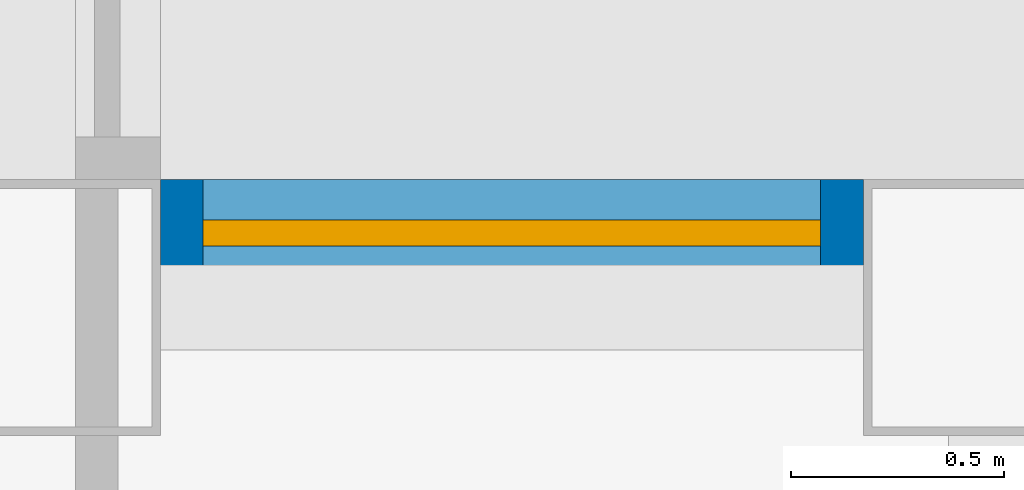
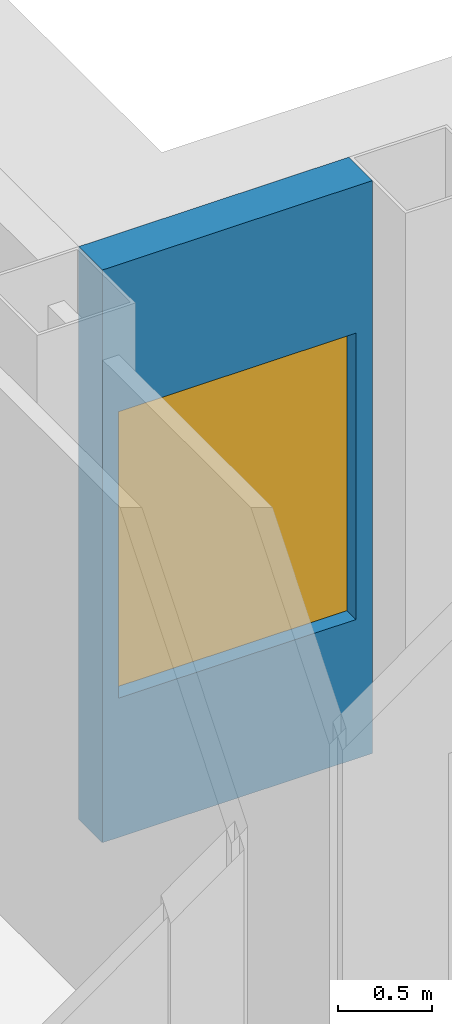
# One storey, part 7 of 12: 1 wall, 1 window, 1 opening.
"""IFC4 building model written with IfcOpenShell, lengths in metres."""

from ifc_helpers import new_model, si_unit, direction, frame, frame_2d, origin, place, context, subcontext, project, spatial, rectangle, extrude, material, layer, layer_set, type_object, element, fill, save


model = new_model("IFC4")

# Units and contexts
model_context = context("Model", 3, precision=1e-05, world=origin(), true_north=direction((0.0, 1.0)))
body_context = subcontext(model_context, "Body", "Model", "MODEL_VIEW")
ifc_project = project(units=[si_unit("LENGTHUNIT", "METRE"), si_unit("AREAUNIT", "SQUARE_METRE"), si_unit("VOLUMEUNIT", "CUBIC_METRE"), si_unit("PLANEANGLEUNIT", "RADIAN"), si_unit("MASSUNIT", "GRAM", prefix="KILO")], contexts=[model_context])

# Site, building, storey
site_placement = place(None, origin())
site = spatial("IfcSite", under=ifc_project, at=site_placement, CompositionType="ELEMENT")
building_placement = place(site_placement, origin())
building = spatial("IfcBuilding", under=site, at=building_placement, Name="Caravel Reach Hotel and Residences", CompositionType="ELEMENT")
storey_placement = place(building_placement, frame((0.0, 0.0, 241.60009765625)))
storey = spatial("IfcBuildingStorey", under=building, at=storey_placement, Name="L61", CompositionType="ELEMENT", Elevation=241.60009765625)

# Wall, opening, window
ifc_material_1 = material(Name="Insulated rainscreen wall, aluminium cladding", Category="aluminium")
ifc_layer = layer(ifc_material_1, 0.25)
ifc_layer_set = layer_set([ifc_layer], Name="EW1 Tower rainscreen wall")
wall_type = type_object("IfcWallType", Name="EW1 Tower rainscreen wall", PredefinedType="SOLIDWALL", material=ifc_layer_set)
wall_placement = place(storey_placement, frame((49.199951171875, 36.175048828125, 0.0), z_axis=(0.0, 0.0, 1.0), x_axis=(-1.0, 0.0, 0.0)))
wall = element("IfcWall", 1, at=wall_placement, inside=storey, type_object=wall_type, Name="External wall L61 N10.1", PredefinedType="SOLIDWALL", context=body_context, shape_type="SweptSolid", body=[
    extrude(rectangle(XDim=1.64990234375, YDim=0.25, at=frame_2d((0.824951171875, 0.0))), origin(), (0.0, 0.0, 1.0), 3.699951171875),
])
opening_placement = place(wall_placement, frame((0.10009765625, 0.0, 0.89990234375)))
opening = element("IfcOpeningElement", 2, at=opening_placement, cuts=wall, Name="Opening WN25", PredefinedType="OPENING", context=body_context, shape_type="SweptSolid", body=[
    extrude(rectangle(XDim=1.449951171875, YDim=1.85009765625, at=frame_2d((0.72509765625, 0.925048828125))), frame((0.0, 0.135009765625, 0.0), z_axis=(0.0, -1.0, 0.0), x_axis=(1.0, 0.0, 0.0)), (0.0, 0.0, 1.0), 0.27001953125),
])
ifc_material_2 = material(Name="Dark low-e glazing in black aluminium frame", Category="aluminium")
window_type = type_object("IfcWindowType", Name="Residence bedroom window 1450 x 1850", PartitioningType="SINGLE_PANEL", PredefinedType="WINDOW", material=ifc_material_2)
window_placement = place(opening_placement, origin())
window = element("IfcWindow", 3, at=window_placement, inside=storey, type_object=window_type, Name="Window L61 N10.1.1", OverallHeight=1.85009765625, OverallWidth=1.449951171875, PartitioningType="SINGLE_PANEL", PredefinedType="WINDOW", context=body_context, shape_type="SweptSolid", body=[
    extrude(rectangle(XDim=1.449951171875, YDim=1.85009765625, at=frame_2d((0.72509765625, 0.925048828125))), frame((0.0, 0.030029296875, 0.0), z_axis=(0.0, -1.0, 0.0), x_axis=(1.0, 0.0, 0.0)), (0.0, 0.0, 1.0), 0.06005859375),
])
fill(opening, window)

save(model, "model.ifc")
